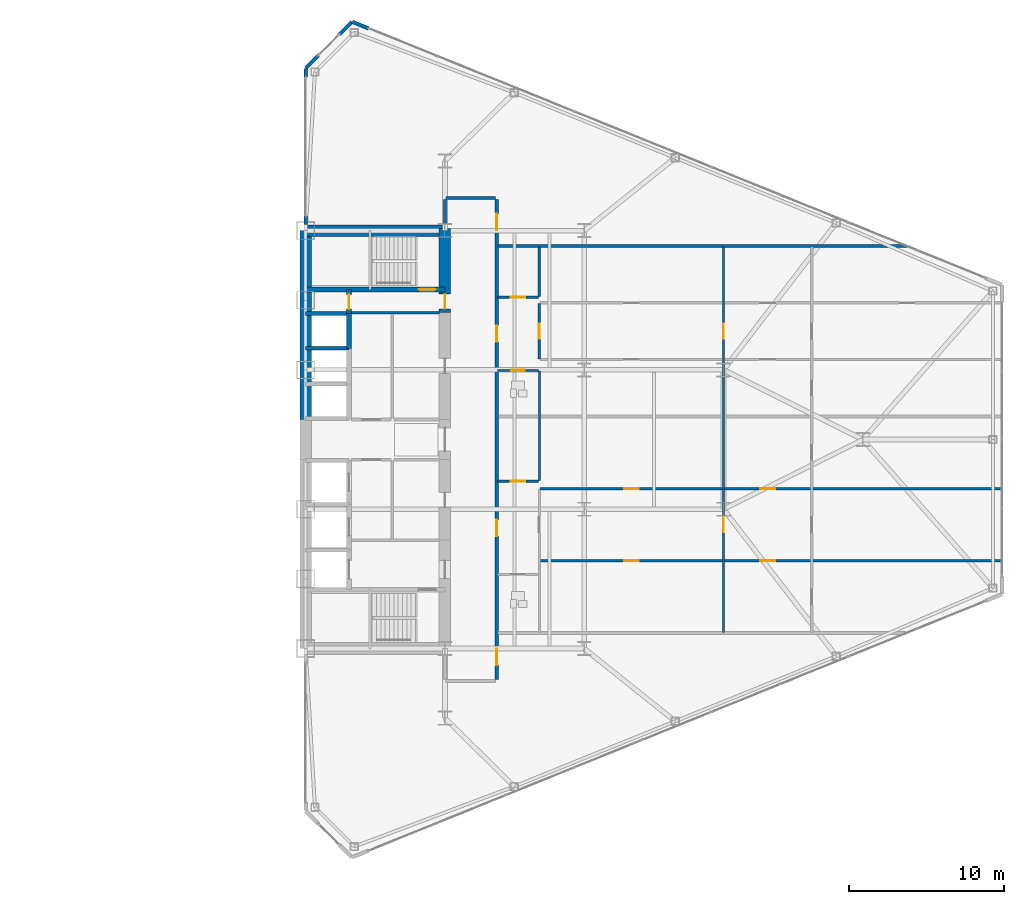
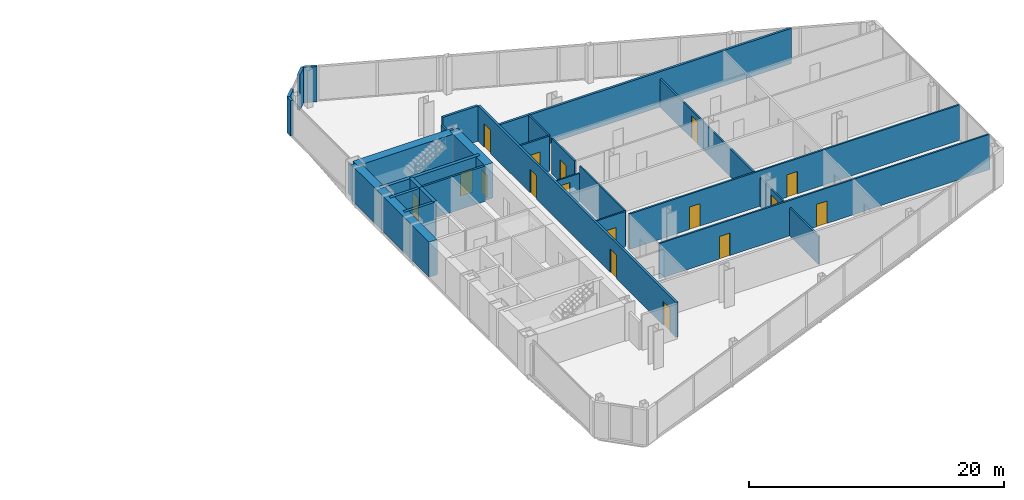
# One storey, part 21 of 25: 27 walls, 17 doors, 17 openings.
"""IFC4 building model written with IfcOpenShell, lengths in metres."""

from ifc_helpers import new_model, si_unit, direction, frame, frame_2d, origin, place, context, subcontext, project, spatial, rectangle, extrude, source, transform, mapped, material, layer, layer_set, type_object, type_shapes, element, fill, save


model = new_model("IFC4")

# Units and contexts
model_context = context("Model", 3, precision=1e-05, world=origin(), true_north=direction((0.0, 1.0)))
body_context = subcontext(model_context, "Body", "Model", "MODEL_VIEW")
ifc_project = project(units=[si_unit("LENGTHUNIT", "METRE"), si_unit("AREAUNIT", "SQUARE_METRE"), si_unit("VOLUMEUNIT", "CUBIC_METRE"), si_unit("PLANEANGLEUNIT", "RADIAN"), si_unit("MASSUNIT", "GRAM", prefix="KILO")], contexts=[model_context])

# Site, building, storey
site_placement = place(None, origin())
site = spatial("IfcSite", under=ifc_project, at=site_placement, CompositionType="ELEMENT")
building_placement = place(site_placement, origin())
building = spatial("IfcBuilding", under=site, at=building_placement, Name="Seokmaru Belvedere", CompositionType="ELEMENT")
storey_placement = place(building_placement, frame((0.0, 0.0, 44.10009765625)))
storey = spatial("IfcBuildingStorey", under=building, at=storey_placement, Name="L11", CompositionType="ELEMENT", Elevation=44.10009765625)

# Wall, openings, doors
ifc_material_1 = material(Name="Fire-Rated Gypsum Shaftwall")
ifc_layer_1 = layer(ifc_material_1, 0.14990234375)
ifc_layer_set_1 = layer_set([ifc_layer_1], Name="Fire-Rated Gypsum Shaftwall")
wall_type_1 = type_object("IfcWallType", Name="Apartment Fire-Acoustic Room Partition 150", PredefinedType="PARTITIONING", material=ifc_layer_set_1)
wall_1_placement = place(storey_placement, frame((42.64990234375, -7.830078125, 0.0), z_axis=(0.0, 0.0, 1.0), x_axis=(1.0, 0.0, 0.0)))
wall_1 = element("IfcWall", 1, at=wall_1_placement, inside=storey, type_object=wall_type_1, Name="L11 Interior Partition 012", PredefinedType="PARTITIONING", context=body_context, shape_type="SweptSolid", body=[
    extrude(rectangle(XDim=29.885009765625, YDim=0.14990234375, at=frame_2d((14.9423828125, 0.0))), origin(), (0.0, 0.0, 1.0), 3.3798828125),
])
opening_1_placement = place(wall_1_placement, frame((5.425048828125, 0.0, 0.0)))
opening_1 = element("IfcOpeningElement", 2, at=opening_1_placement, cuts=wall_1, Name="Opening D05", PredefinedType="OPENING", context=body_context, shape_type="SweptSolid", body=[
    extrude(rectangle(XDim=0.949951171875, YDim=2.14990234375, at=frame_2d((0.47509765625, 1.074951171875))), frame((0.0, 0.0849609375, 0.0), z_axis=(0.0, -1.0, 0.0), x_axis=(1.0, 0.0, 0.0)), (0.0, 0.0, 1.0), 0.169921875),
])
opening_2_placement = place(wall_1_placement, frame((14.22509765625, 0.0, 0.0)))
opening_2 = element("IfcOpeningElement", 3, at=opening_2_placement, cuts=wall_1, Name="Opening D05", PredefinedType="OPENING", context=body_context, shape_type="SweptSolid", body=[
    extrude(rectangle(XDim=0.949951171875, YDim=2.14990234375, at=frame_2d((0.47509765625, 1.074951171875))), frame((0.0, 0.0849609375, 0.0), z_axis=(0.0, -1.0, 0.0), x_axis=(1.0, 0.0, 0.0)), (0.0, 0.0, 1.0), 0.169921875),
])
ifc_material_2 = material(Name="Engineered White Oak Timber", Category="wood")
door_type_1 = type_object("IfcDoorType", Name="Apartment Interior Fire-Rated Oak Door 950x2150", OperationType="NOTDEFINED", PredefinedType="DOOR", material=ifc_material_2)
shared_shape_1 = source(origin(), body_context, "Body", "SweptSolid", [
    extrude(rectangle(XDim=0.949951171875, YDim=2.14990234375, at=frame_2d((0.47509765625, 1.074951171875))), frame((0.0, 0.02490234375, 0.0), z_axis=(0.0, -1.0, 0.0), x_axis=(1.0, 0.0, 0.0)), (0.0, 0.0, 1.0), 0.050048828125),
])
type_shapes(door_type_1, [shared_shape_1])
door_1_placement = place(opening_1_placement, origin())
door_1 = element("IfcDoor", 4, at=door_1_placement, inside=storey, type_object=door_type_1, Name="L11 Interior Door 043", OperationType="SINGLE_SWING_LEFT", OverallHeight=2.14990234375, OverallWidth=0.949951171875, PredefinedType="DOOR", context=body_context, shape_type="MappedRepresentation", body=[
    mapped(shared_shape_1, transform((0.0, 0.0, 0.0), scale=1.0)),
])
fill(opening_1, door_1)
door_2_placement = place(opening_2_placement, origin())
door_2 = element("IfcDoor", 5, at=door_2_placement, inside=storey, type_object=door_type_1, Name="L11 Interior Door 045", OperationType="SINGLE_SWING_RIGHT", OverallHeight=2.14990234375, OverallWidth=0.949951171875, PredefinedType="DOOR", context=body_context, shape_type="MappedRepresentation", body=[
    mapped(shared_shape_1, transform((0.0, 0.0, 0.0), scale=1.0)),
])
fill(opening_2, door_2)

wall_2_placement = place(storey_placement, frame((42.64990234375, -3.169921875, 0.0), z_axis=(0.0, 0.0, 1.0), x_axis=(1.0, 0.0, 0.0)))
wall_2 = element("IfcWall", 6, at=wall_2_placement, inside=storey, type_object=wall_type_1, Name="L11 Interior Partition 015", PredefinedType="PARTITIONING", context=body_context, shape_type="SweptSolid", body=[
    extrude(rectangle(XDim=29.885009765625, YDim=0.14990234375, at=frame_2d((14.9423828125, 0.0))), origin(), (0.0, 0.0, 1.0), 3.3798828125),
])
opening_3_placement = place(wall_2_placement, frame((5.425048828125, 0.0, 0.0)))
opening_3 = element("IfcOpeningElement", 7, at=opening_3_placement, cuts=wall_2, Name="Opening D05", PredefinedType="OPENING", context=body_context, shape_type="SweptSolid", body=[
    extrude(rectangle(XDim=0.949951171875, YDim=2.14990234375, at=frame_2d((0.47509765625, 1.074951171875))), frame((0.0, 0.0849609375, 0.0), z_axis=(0.0, -1.0, 0.0), x_axis=(1.0, 0.0, 0.0)), (0.0, 0.0, 1.0), 0.169921875),
])
opening_4_placement = place(wall_2_placement, frame((14.22509765625, 0.0, 0.0)))
opening_4 = element("IfcOpeningElement", 8, at=opening_4_placement, cuts=wall_2, Name="Opening D05", PredefinedType="OPENING", context=body_context, shape_type="SweptSolid", body=[
    extrude(rectangle(XDim=0.949951171875, YDim=2.14990234375, at=frame_2d((0.47509765625, 1.074951171875))), frame((0.0, 0.0849609375, 0.0), z_axis=(0.0, -1.0, 0.0), x_axis=(1.0, 0.0, 0.0)), (0.0, 0.0, 1.0), 0.169921875),
])
door_3_placement = place(opening_3_placement, origin())
door_3 = element("IfcDoor", 9, at=door_3_placement, inside=storey, type_object=door_type_1, Name="L11 Interior Door 044", OperationType="SINGLE_SWING_RIGHT", OverallHeight=2.14990234375, OverallWidth=0.949951171875, PredefinedType="DOOR", context=body_context, shape_type="MappedRepresentation", body=[
    mapped(shared_shape_1, transform((0.0, 0.0, 0.0), scale=1.0)),
])
fill(opening_3, door_3)
door_4_placement = place(opening_4_placement, origin())
door_4 = element("IfcDoor", 10, at=door_4_placement, inside=storey, type_object=door_type_1, Name="L11 Interior Door 048", OperationType="SINGLE_SWING_RIGHT", OverallHeight=2.14990234375, OverallWidth=0.949951171875, PredefinedType="DOOR", context=body_context, shape_type="MappedRepresentation", body=[
    mapped(shared_shape_1, transform((0.0, 0.0, 0.0), scale=1.0)),
])
fill(opening_4, door_4)

# Wall, opening, door
wall_3_placement = place(storey_placement, frame((39.89990234375, -2.699951171875, 0.0), z_axis=(0.0, 0.0, 1.0), x_axis=(1.0, 0.0, 0.0)))
wall_3 = element("IfcWall", 11, at=wall_3_placement, inside=storey, type_object=wall_type_1, Name="L11 Interior Partition 016", PredefinedType="PARTITIONING", context=body_context, shape_type="SweptSolid", body=[
    extrude(rectangle(XDim=2.650146484375, YDim=0.14990234375, at=frame_2d((1.3251953125, 0.0))), origin(), (0.0, 0.0, 1.0), 3.3798828125),
])
opening_5_placement = place(wall_3_placement, frame((0.85009765625, 0.0, 0.0)))
opening_5 = element("IfcOpeningElement", 12, at=opening_5_placement, cuts=wall_3, Name="Opening D05", PredefinedType="OPENING", context=body_context, shape_type="SweptSolid", body=[
    extrude(rectangle(XDim=0.949951171875, YDim=2.14990234375, at=frame_2d((0.47509765625, 1.074951171875))), frame((0.0, 0.0849609375, 0.0), z_axis=(0.0, -1.0, 0.0), x_axis=(1.0, 0.0, 0.0)), (0.0, 0.0, 1.0), 0.169921875),
])
door_5_placement = place(opening_5_placement, origin())
door_5 = element("IfcDoor", 13, at=door_5_placement, inside=storey, type_object=door_type_1, Name="L11 Interior Door 040", OperationType="SINGLE_SWING_RIGHT", OverallHeight=2.14990234375, OverallWidth=0.949951171875, PredefinedType="DOOR", context=body_context, shape_type="MappedRepresentation", body=[
    mapped(shared_shape_1, transform((0.0, 0.0, 0.0), scale=1.0)),
])
fill(opening_5, door_5)

wall_4_placement = place(storey_placement, frame((39.89990234375, 9.199951171875, 0.0), z_axis=(0.0, 0.0, 1.0), x_axis=(1.0, 0.0, 0.0)))
wall_4 = element("IfcWall", 14, at=wall_4_placement, inside=storey, type_object=wall_type_1, Name="L11 Interior Partition 025", PredefinedType="PARTITIONING", context=body_context, shape_type="SweptSolid", body=[
    extrude(rectangle(XDim=2.650146484375, YDim=0.14990234375, at=frame_2d((1.3251953125, 0.0))), origin(), (0.0, 0.0, 1.0), 3.3798828125),
])
opening_6_placement = place(wall_4_placement, frame((0.85009765625, 0.0, 0.0)))
opening_6 = element("IfcOpeningElement", 15, at=opening_6_placement, cuts=wall_4, Name="Opening D05", PredefinedType="OPENING", context=body_context, shape_type="SweptSolid", body=[
    extrude(rectangle(XDim=0.949951171875, YDim=2.14990234375, at=frame_2d((0.47509765625, 1.074951171875))), frame((0.0, 0.0849609375, 0.0), z_axis=(0.0, -1.0, 0.0), x_axis=(1.0, 0.0, 0.0)), (0.0, 0.0, 1.0), 0.169921875),
])
door_6_placement = place(opening_6_placement, origin())
door_6 = element("IfcDoor", 16, at=door_6_placement, inside=storey, type_object=door_type_1, Name="L11 Interior Door 052", OperationType="SINGLE_SWING_RIGHT", OverallHeight=2.14990234375, OverallWidth=0.949951171875, PredefinedType="DOOR", context=body_context, shape_type="MappedRepresentation", body=[
    mapped(shared_shape_1, transform((0.0, 0.0, 0.0), scale=1.0)),
])
fill(opening_6, door_6)

wall_5_placement = place(storey_placement, frame((42.60009765625, 5.217041015625, 0.0), z_axis=(0.0, 0.0, 1.0), x_axis=(0.0, 1.0, 0.0)))
wall_5 = element("IfcWall", 17, at=wall_5_placement, inside=storey, type_object=wall_type_1, Name="L11 Interior Partition 048", PredefinedType="PARTITIONING", context=body_context, shape_type="SweptSolid", body=[
    extrude(rectangle(XDim=3.56591796875, YDim=0.14990234375, at=frame_2d((1.782958984375, 0.0))), origin(), (0.0, 0.0, 1.0), 3.3798828125),
])
opening_7_placement = place(wall_5_placement, frame((1.30810546875, 0.0, 0.0)))
opening_7 = element("IfcOpeningElement", 18, at=opening_7_placement, cuts=wall_5, Name="Opening D05", PredefinedType="OPENING", context=body_context, shape_type="SweptSolid", body=[
    extrude(rectangle(XDim=0.949951171875, YDim=2.14990234375, at=frame_2d((0.47509765625, 1.074951171875))), frame((0.0, 0.0849609375, 0.0), z_axis=(0.0, -1.0, 0.0), x_axis=(1.0, 0.0, 0.0)), (0.0, 0.0, 1.0), 0.169921875),
])
door_7_placement = place(opening_7_placement, origin())
door_7 = element("IfcDoor", 19, at=door_7_placement, inside=storey, type_object=door_type_1, Name="L11 Interior Door 053", OperationType="SINGLE_SWING_LEFT", OverallHeight=2.14990234375, OverallWidth=0.949951171875, PredefinedType="DOOR", context=body_context, shape_type="MappedRepresentation", body=[
    mapped(shared_shape_1, transform((0.0, 0.0, 0.0), scale=1.0)),
])
fill(opening_7, door_7)

# Wall
wall_6_placement = place(storey_placement, frame((42.60009765625, 9.251953125, 0.0), z_axis=(0.0, 0.0, 1.0), x_axis=(0.0, 1.0, 0.0)))
element("IfcWall", 20, at=wall_6_placement, inside=storey, type_object=wall_type_1, Name="L11 Interior Partition 049", PredefinedType="PARTITIONING", context=body_context, shape_type="SweptSolid", body=[
    extrude(rectangle(XDim=3.197998046875, YDim=0.14990234375, at=frame_2d((1.59912109375, 0.0))), origin(), (0.0, 0.0, 1.0), 3.3798828125),
])

# Wall, openings, doors
wall_7_placement = place(storey_placement, frame((54.5, -12.449951171875, 0.0), z_axis=(0.0, 0.0, 1.0), x_axis=(0.0, 1.0, 0.0)))
wall_7 = element("IfcWall", 21, at=wall_7_placement, inside=storey, type_object=wall_type_1, Name="L11 Interior Partition 050", PredefinedType="PARTITIONING", context=body_context, shape_type="SweptSolid", body=[
    extrude(rectangle(XDim=24.89990234375, YDim=0.14990234375, at=frame_2d((12.449951171875, 0.0))), origin(), (0.0, 0.0, 1.0), 2.679931640625),
])
opening_8_placement = place(wall_7_placement, frame((6.47509765625, 0.0, 0.0)))
opening_8 = element("IfcOpeningElement", 22, at=opening_8_placement, cuts=wall_7, Name="Opening D05", PredefinedType="OPENING", context=body_context, shape_type="SweptSolid", body=[
    extrude(rectangle(XDim=0.949951171875, YDim=2.14990234375, at=frame_2d((0.47509765625, 1.074951171875))), frame((0.0, 0.0849609375, 0.0), z_axis=(0.0, -1.0, 0.0), x_axis=(1.0, 0.0, 0.0)), (0.0, 0.0, 1.0), 0.169921875),
])
opening_9_placement = place(wall_7_placement, frame((18.97509765625, 0.0, 0.0)))
opening_9 = element("IfcOpeningElement", 23, at=opening_9_placement, cuts=wall_7, Name="Opening D05", PredefinedType="OPENING", context=body_context, shape_type="SweptSolid", body=[
    extrude(rectangle(XDim=0.949951171875, YDim=2.14990234375, at=frame_2d((0.47509765625, 1.074951171875))), frame((0.0, 0.0849609375, 0.0), z_axis=(0.0, -1.0, 0.0), x_axis=(1.0, 0.0, 0.0)), (0.0, 0.0, 1.0), 0.169921875),
])
door_8_placement = place(opening_8_placement, origin())
door_8 = element("IfcDoor", 24, at=door_8_placement, inside=storey, type_object=door_type_1, Name="L11 Interior Door 042", OperationType="SINGLE_SWING_RIGHT", OverallHeight=2.14990234375, OverallWidth=0.949951171875, PredefinedType="DOOR", context=body_context, shape_type="MappedRepresentation", body=[
    mapped(shared_shape_1, transform((0.0, 0.0, 0.0), scale=1.0)),
])
fill(opening_8, door_8)
door_9_placement = place(opening_9_placement, origin())
door_9 = element("IfcDoor", 25, at=door_9_placement, inside=storey, type_object=door_type_1, Name="L11 Interior Door 054", OperationType="SINGLE_SWING_RIGHT", OverallHeight=2.14990234375, OverallWidth=0.949951171875, PredefinedType="DOOR", context=body_context, shape_type="MappedRepresentation", body=[
    mapped(shared_shape_1, transform((0.0, 0.0, 0.0), scale=1.0)),
])
fill(opening_9, door_9)

# Walls
ifc_layer_2 = layer(ifc_material_1, 0.179931640625)
ifc_layer_set_2 = layer_set([ifc_layer_2], Name="Fire-Rated Gypsum Shaftwall")
wall_type_2 = type_object("IfcWallType", Name="Core Service Fire Partition 180", PredefinedType="PARTITIONING", material=ifc_layer_set_2)
wall_8_placement = place(storey_placement, frame((30.449951171875, 8.199951171875, 0.0), z_axis=(0.0, 0.0, 1.0), x_axis=(1.0, 0.0, 0.0)))
element("IfcWall", 26, at=wall_8_placement, inside=storey, type_object=wall_type_2, Name="L11 East Smokeproof Vestibule Partition", PredefinedType="PARTITIONING", context=body_context, shape_type="SweptSolid", body=[
    extrude(rectangle(XDim=5.699951171875, YDim=0.179931640625, at=frame_2d((2.85009765625, 0.0))), origin(), (0.0, 0.0, 1.0), 3.3798828125),
])
ifc_material_3 = material(Name="Concrete C50 (50 MPa)", Category="concrete")
ifc_layer_3 = layer(ifc_material_3, 0.25)
ifc_layer_set_3 = layer_set([ifc_layer_3], Name="Concrete C50 (50 MPa)")
wall_type_3 = type_object("IfcWallType", Name="Hoistway Transverse Concrete Divider Wall 250", PredefinedType="SHEAR", material=ifc_layer_set_3)
for number, where, z_axis, x_axis, name in (
    (27, (27.5, 5.89990234375, 0.0), (0.0, 0.0, 1.0), (1.0, 0.0, 0.0), "L11 East Hoistway Divider Core Wall 6"),
    (28, (27.5, 8.14990234375, 0.0), (0.0, 0.0, 1.0), (1.0, 0.0, 0.0), "L11 East Hoistway Divider Core Wall 7"),
):
    element("IfcWall", number, at=place(storey_placement, frame(where, z_axis=z_axis, x_axis=x_axis)), inside=storey, type_object=wall_type_3, Name=name, PredefinedType="SHEAR", context=body_context, shape_type="SweptSolid", body=[
        extrude(rectangle(XDim=2.800048828125, YDim=0.25, at=frame_2d((1.39990234375, 0.0))), origin(), (0.0, 0.0, 1.0), 3.3798828125),
    ])
ifc_layer_4 = layer(ifc_material_1, 0.199951171875)
ifc_layer_set_4 = layer_set([ifc_layer_4], Name="Fire-Rated Gypsum Shaftwall")
wall_type_4 = type_object("IfcWallType", Name="Inter-Tenancy Fire Compartment Partition 200", PredefinedType="PARTITIONING", material=ifc_layer_set_4)
wall_9_placement = place(storey_placement, frame((39.929931640625, 12.5, 0.0), z_axis=(0.0, 0.0, 1.0), x_axis=(1.0, 0.0, 0.0)))
element("IfcWall", 29, at=wall_9_placement, inside=storey, type_object=wall_type_4, Name="L11 Interior Partition 028", PredefinedType="PARTITIONING", context=body_context, shape_type="SweptSolid", body=[
    extrude(rectangle(XDim=26.406982421875, YDim=0.199951171875, at=frame_2d((13.20361328125, 0.0))), origin(), (0.0, 0.0, 1.0), 3.3798828125),
])
wall_10_placement = place(storey_placement, frame((36.5849609375, 15.60009765625, 0.0), z_axis=(0.0, 0.0, 1.0), x_axis=(1.0, 0.0, 0.0)))
element("IfcWall", 30, at=wall_10_placement, inside=storey, type_object=wall_type_4, Name="L11 Interior Partition 030", PredefinedType="PARTITIONING", context=body_context, shape_type="SweptSolid", body=[
    extrude(rectangle(XDim=3.179931640625, YDim=0.199951171875, at=frame_2d((1.58984375, 0.0))), origin(), (0.0, 0.0, 1.0), 3.3798828125),
])
wall_11_placement = place(storey_placement, frame((36.5, 13.8798828125, 0.0), z_axis=(0.0, 0.0, 1.0), x_axis=(0.0, 1.0, 0.0)))
element("IfcWall", 31, at=wall_11_placement, inside=storey, type_object=wall_type_4, Name="L11 Interior Partition 044", PredefinedType="PARTITIONING", context=body_context, shape_type="SweptSolid", body=[
    extrude(rectangle(XDim=1.635009765625, YDim=0.199951171875, at=frame_2d((0.8173828125, 0.0))), origin(), (0.0, 0.0, 1.0), 2.679931640625),
])

# Wall, openings, doors
wall_12_placement = place(storey_placement, frame((39.85009765625, -15.514892578125, 0.0), z_axis=(0.0, 0.0, 1.0), x_axis=(0.0, 1.0, 0.0)))
wall_12 = element("IfcWall", 32, at=wall_12_placement, inside=storey, type_object=wall_type_4, Name="L11 Interior Partition 045", PredefinedType="PARTITIONING", context=body_context, shape_type="SweptSolid", body=[
    extrude(rectangle(XDim=31.02978515625, YDim=0.199951171875, at=frame_2d((15.514892578125, 0.0))), origin(), (0.0, 0.0, 1.0), 3.3798828125),
])
opening_10_placement = place(wall_12_placement, frame((0.93994140625, 0.0, 0.0)))
opening_10 = element("IfcOpeningElement", 33, at=opening_10_placement, cuts=wall_12, Name="Opening D03", PredefinedType="OPENING", context=body_context, shape_type="SweptSolid", body=[
    extrude(rectangle(XDim=1.050048828125, YDim=2.25, at=frame_2d((0.52490234375, 1.125))), frame((0.0, 0.10986328125, 0.0), z_axis=(0.0, -1.0, 0.0), x_axis=(1.0, 0.0, 0.0)), (0.0, 0.0, 1.0), 0.219970703125),
])
opening_11_placement = place(wall_12_placement, frame((9.280029296875, 0.0, 0.0)))
opening_11 = element("IfcOpeningElement", 34, at=opening_11_placement, cuts=wall_12, Name="Opening D03", PredefinedType="OPENING", context=body_context, shape_type="SweptSolid", body=[
    extrude(rectangle(XDim=1.050048828125, YDim=2.25, at=frame_2d((0.52490234375, 1.125))), frame((0.0, 0.10986328125, 0.0), z_axis=(0.0, -1.0, 0.0), x_axis=(1.0, 0.0, 0.0)), (0.0, 0.0, 1.0), 0.219970703125),
])
opening_12_placement = place(wall_12_placement, frame((21.824951171875, 0.0, 0.0)))
opening_12 = element("IfcOpeningElement", 35, at=opening_12_placement, cuts=wall_12, Name="Opening D03", PredefinedType="OPENING", context=body_context, shape_type="SweptSolid", body=[
    extrude(rectangle(XDim=1.050048828125, YDim=2.25, at=frame_2d((0.52490234375, 1.125))), frame((0.0, 0.10986328125, 0.0), z_axis=(0.0, -1.0, 0.0), x_axis=(1.0, 0.0, 0.0)), (0.0, 0.0, 1.0), 0.219970703125),
])
opening_13_placement = place(wall_12_placement, frame((29.0400390625, 0.0, 0.0)))
opening_13 = element("IfcOpeningElement", 36, at=opening_13_placement, cuts=wall_12, Name="Opening D03", PredefinedType="OPENING", context=body_context, shape_type="SweptSolid", body=[
    extrude(rectangle(XDim=1.050048828125, YDim=2.25, at=frame_2d((0.52490234375, 1.125))), frame((0.0, 0.10986328125, 0.0), z_axis=(0.0, -1.0, 0.0), x_axis=(1.0, 0.0, 0.0)), (0.0, 0.0, 1.0), 0.219970703125),
])
ifc_material_4 = material(Name="Fire-Rated Steel Leaf", Category="steel")
door_type_2 = type_object("IfcDoorType", Name="Apartment Entrance Fire Door 1050x2250", OperationType="NOTDEFINED", PredefinedType="DOOR", material=ifc_material_4)
shared_shape_2 = source(origin(), body_context, "Body", "SweptSolid", [
    extrude(rectangle(XDim=1.050048828125, YDim=2.25, at=frame_2d((0.52490234375, 1.125))), frame((0.0, 0.02490234375, 0.0), z_axis=(0.0, -1.0, 0.0), x_axis=(1.0, 0.0, 0.0)), (0.0, 0.0, 1.0), 0.050048828125),
])
type_shapes(door_type_2, [shared_shape_2])
door_10_placement = place(opening_10_placement, origin())
door_10 = element("IfcDoor", 37, at=door_10_placement, inside=storey, type_object=door_type_2, Name="L11 Interior Door 037", OperationType="SINGLE_SWING_LEFT", OverallHeight=2.25, OverallWidth=1.050048828125, PredefinedType="DOOR", context=body_context, shape_type="MappedRepresentation", body=[
    mapped(shared_shape_2, transform((0.0, 0.0, 0.0), scale=1.0)),
])
fill(opening_10, door_10)
door_11_placement = place(opening_11_placement, origin())
door_11 = element("IfcDoor", 38, at=door_11_placement, inside=storey, type_object=door_type_2, Name="L11 Interior Door 038", OperationType="SINGLE_SWING_RIGHT", OverallHeight=2.25, OverallWidth=1.050048828125, PredefinedType="DOOR", context=body_context, shape_type="MappedRepresentation", body=[
    mapped(shared_shape_2, transform((0.0, 0.0, 0.0), scale=1.0)),
])
fill(opening_11, door_11)
door_12_placement = place(opening_12_placement, origin())
door_12 = element("IfcDoor", 39, at=door_12_placement, inside=storey, type_object=door_type_2, Name="L11 Interior Door 050", OperationType="SINGLE_SWING_LEFT", OverallHeight=2.25, OverallWidth=1.050048828125, PredefinedType="DOOR", context=body_context, shape_type="MappedRepresentation", body=[
    mapped(shared_shape_2, transform((0.0, 0.0, 0.0), scale=1.0)),
])
fill(opening_12, door_12)
door_13_placement = place(opening_13_placement, origin())
door_13 = element("IfcDoor", 40, at=door_13_placement, inside=storey, type_object=door_type_2, Name="L11 Interior Door 062", OperationType="SINGLE_SWING_RIGHT", OverallHeight=2.25, OverallWidth=1.050048828125, PredefinedType="DOOR", context=body_context, shape_type="MappedRepresentation", body=[
    mapped(shared_shape_2, transform((0.0, 0.0, 0.0), scale=1.0)),
])
fill(opening_13, door_13)

# Wall, opening, door
ifc_layer_5 = layer(ifc_material_3, 0.300048828125)
ifc_layer_set_5 = layer_set([ifc_layer_5], Name="Concrete C50 (50 MPa)")
wall_type_5 = type_object("IfcWallType", Name="Internal Core Stair and Hoistway Wall 300", PredefinedType="SHEAR", material=ifc_layer_set_5)
wall_13_placement = place(storey_placement, frame((27.5, 9.699951171875, 0.0), z_axis=(0.0, 0.0, 1.0), x_axis=(1.0, 0.0, 0.0)))
wall_13 = element("IfcWall", 41, at=wall_13_placement, inside=storey, type_object=wall_type_5, Name="L11 East Stair ST-2 Enclosure Wall", PredefinedType="SHEAR", context=body_context, shape_type="SweptSolid", body=[
    extrude(rectangle(XDim=9.0, YDim=0.300048828125, at=frame_2d((4.5, 0.0))), origin(), (0.0, 0.0, 1.0), 3.3798828125),
])
opening_14_placement = place(wall_13_placement, frame((7.300048828125, 0.0, 0.0)))
opening_14 = element("IfcOpeningElement", 42, at=opening_14_placement, cuts=wall_13, Name="Opening D01", PredefinedType="OPENING", context=body_context, shape_type="SweptSolid", body=[
    extrude(rectangle(XDim=1.10009765625, YDim=2.199951171875, at=frame_2d((0.550048828125, 1.10009765625))), frame((0.0, 0.16015625, 0.0), z_axis=(0.0, -1.0, 0.0), x_axis=(1.0, 0.0, 0.0)), (0.0, 0.0, 1.0), 0.320068359375),
])
door_type_3 = type_object("IfcDoorType", Name="Special Escape Stair Smokeproof Fire Door 1100x2200", OperationType="NOTDEFINED", PredefinedType="DOOR", material=ifc_material_4)
shared_shape_3 = source(origin(), body_context, "Body", "SweptSolid", [
    extrude(rectangle(XDim=1.10009765625, YDim=2.199951171875, at=frame_2d((0.550048828125, 1.10009765625))), frame((0.0, 0.02490234375, 0.0), z_axis=(0.0, -1.0, 0.0), x_axis=(1.0, 0.0, 0.0)), (0.0, 0.0, 1.0), 0.050048828125),
])
type_shapes(door_type_3, [shared_shape_3])
door_14_placement = place(opening_14_placement, origin())
door_14 = element("IfcDoor", 43, at=door_14_placement, inside=storey, type_object=door_type_3, Name="L11 East Special Escape Stair ST-2 Door", OperationType="SINGLE_SWING_LEFT", OverallHeight=2.199951171875, OverallWidth=1.10009765625, PredefinedType="DOOR", context=body_context, shape_type="MappedRepresentation", body=[
    mapped(shared_shape_3, transform((0.0, 0.0, 0.0), scale=1.0)),
])
fill(opening_14, door_14)

# Wall
wall_14_placement = place(storey_placement, frame((30.300048828125, 5.89990234375, 0.0), z_axis=(0.0, 0.0, 1.0), x_axis=(0.0, 1.0, 0.0)))
element("IfcWall", 44, at=wall_14_placement, inside=storey, type_object=wall_type_5, Name="L11 East North Hoistway Wall OBS", PredefinedType="SHEAR", context=body_context, shape_type="SweptSolid", body=[
    extrude(rectangle(XDim=2.25, YDim=0.300048828125, at=frame_2d((1.125, 0.0))), origin(), (0.0, 0.0, 1.0), 3.3798828125),
])

# Wall, opening, door
wall_15_placement = place(storey_placement, frame((30.300048828125, 8.14990234375, 0.0), z_axis=(0.0, 0.0, 1.0), x_axis=(0.0, 1.0, 0.0)))
wall_15 = element("IfcWall", 45, at=wall_15_placement, inside=storey, type_object=wall_type_5, Name="L11 East Electrical Riser Front Wall", PredefinedType="SHEAR", context=body_context, shape_type="SweptSolid", body=[
    extrude(rectangle(XDim=1.530029296875, YDim=0.300048828125, at=frame_2d((0.76513671875, 0.0))), origin(), (0.0, 0.0, 1.0), 3.3798828125),
])
opening_15_placement = place(wall_15_placement, frame((0.284912109375, 0.0, 0.0)))
opening_15 = element("IfcOpeningElement", 46, at=opening_15_placement, cuts=wall_15, Name="Opening D04", PredefinedType="OPENING", context=body_context, shape_type="SweptSolid", body=[
    extrude(rectangle(XDim=0.949951171875, YDim=2.14990234375, at=frame_2d((0.47509765625, 1.074951171875))), frame((0.0, 0.16015625, 0.0), z_axis=(0.0, -1.0, 0.0), x_axis=(1.0, 0.0, 0.0)), (0.0, 0.0, 1.0), 0.320068359375),
])
door_type_4 = type_object("IfcDoorType", Name="Core Service Room Fire Door 950x2150", OperationType="NOTDEFINED", PredefinedType="DOOR", material=ifc_material_4)
shared_shape_4 = source(origin(), body_context, "Body", "SweptSolid", [
    extrude(rectangle(XDim=0.949951171875, YDim=2.14990234375, at=frame_2d((0.47509765625, 1.074951171875))), frame((0.0, 0.02490234375, 0.0), z_axis=(0.0, -1.0, 0.0), x_axis=(1.0, 0.0, 0.0)), (0.0, 0.0, 1.0), 0.050048828125),
])
type_shapes(door_type_4, [shared_shape_4])
door_15_placement = place(opening_15_placement, origin())
door_15 = element("IfcDoor", 47, at=door_15_placement, inside=storey, type_object=door_type_4, Name="L11 East Electrical Riser Access Door", OperationType="SINGLE_SWING_RIGHT", OverallHeight=2.14990234375, OverallWidth=0.949951171875, PredefinedType="DOOR", context=body_context, shape_type="MappedRepresentation", body=[
    mapped(shared_shape_4, transform((0.0, 0.0, 0.0), scale=1.0)),
])
fill(opening_15, door_15)

# Walls
ifc_material_5 = material(Name="Concrete C60 (60 MPa)", Category="concrete")
ifc_layer_6 = layer(ifc_material_5, 0.75)
ifc_layer_set_6 = layer_set([ifc_layer_6], Name="Concrete C60 (60 MPa)")
wall_type_6 = type_object("IfcWallType", Name="Lower Tower Reinforced Concrete Core Wall 750", PredefinedType="SHEAR", material=ifc_layer_set_6)
wall_16_placement = place(storey_placement, frame((27.5, 1.300048828125, 0.0), z_axis=(0.0, 0.0, 1.0), x_axis=(0.0, 1.0, 0.0)))
element("IfcWall", 48, at=wall_16_placement, inside=storey, type_object=wall_type_6, Name="L11 East Portal Spine Core Wall North", PredefinedType="SHEAR", context=body_context, shape_type="SweptSolid", body=[
    extrude(rectangle(XDim=12.199951171875, YDim=0.75, at=frame_2d((6.10009765625, 0.0))), origin(), (0.0, 0.0, 1.0), 3.3798828125),
])
wall_17_placement = place(storey_placement, frame((27.5, 13.5, 0.0), z_axis=(0.0, 0.0, 1.0), x_axis=(1.0, 0.0, 0.0)))
element("IfcWall", 49, at=wall_17_placement, inside=storey, type_object=wall_type_6, Name="L11 East North Core Wall", PredefinedType="SHEAR", context=body_context, shape_type="SweptSolid", body=[
    extrude(rectangle(XDim=9.0, YDim=0.75, at=frame_2d((4.5, 0.0))), origin(), (0.0, 0.0, 1.0), 3.3798828125),
])

# Wall, opening, door
wall_18_placement = place(storey_placement, frame((36.5, 8.199951171875, 0.0), z_axis=(0.0, 0.0, 1.0), x_axis=(0.0, 1.0, 0.0)))
wall_18 = element("IfcWall", 50, at=wall_18_placement, inside=storey, type_object=wall_type_6, Name="L11 East West Core Wall VST", PredefinedType="SHEAR", context=body_context, shape_type="SweptSolid", body=[
    extrude(rectangle(XDim=5.449951171875, YDim=0.75, at=frame_2d((2.72509765625, 0.0))), origin(), (0.0, 0.0, 1.0), 3.3798828125),
])
opening_16_placement = place(wall_18_placement, frame((0.2451171875, 0.0, 0.0)))
opening_16 = element("IfcOpeningElement", 51, at=opening_16_placement, cuts=wall_18, Name="Opening D04", PredefinedType="OPENING", context=body_context, shape_type="SweptSolid", body=[
    extrude(rectangle(XDim=0.949951171875, YDim=2.14990234375, at=frame_2d((0.47509765625, 1.074951171875))), frame((0.0, 0.385009765625, 0.0), z_axis=(0.0, -1.0, 0.0), x_axis=(1.0, 0.0, 0.0)), (0.0, 0.0, 1.0), 0.77001953125),
])
door_16_placement = place(opening_16_placement, origin())
door_16 = element("IfcDoor", 52, at=door_16_placement, inside=storey, type_object=door_type_4, Name="L11 East Smokeproof Vestibule Door", OperationType="SINGLE_SWING_LEFT", OverallHeight=2.14990234375, OverallWidth=0.949951171875, PredefinedType="DOOR", context=body_context, shape_type="MappedRepresentation", body=[
    mapped(shared_shape_4, transform((0.0, 0.0, 0.0), scale=1.0)),
])
fill(opening_16, door_16)

ifc_layer_7 = layer(ifc_material_1, 0.1298828125)
ifc_layer_set_7 = layer_set([ifc_layer_7], Name="Fire-Rated Gypsum Shaftwall")
wall_type_7 = type_object("IfcWallType", Name="Moisture-Resistant Fire-Rated Bathroom Partition 130", PredefinedType="PARTITIONING", material=ifc_layer_set_7)
wall_19_placement = place(storey_placement, frame((39.89990234375, 4.469970703125, 0.0), z_axis=(0.0, 0.0, 1.0), x_axis=(1.0, 0.0, 0.0)))
wall_19 = element("IfcWall", 53, at=wall_19_placement, inside=storey, type_object=wall_type_7, Name="L11 Interior Partition 020", PredefinedType="PARTITIONING", context=body_context, shape_type="SweptSolid", body=[
    extrude(rectangle(XDim=2.650146484375, YDim=0.1298828125, at=frame_2d((1.3251953125, 0.0))), origin(), (0.0, 0.0, 1.0), 2.679931640625),
])
opening_17_placement = place(wall_19_placement, frame((0.885009765625, 0.0, 0.0)))
opening_17 = element("IfcOpeningElement", 54, at=opening_17_placement, cuts=wall_19, Name="Opening D06", PredefinedType="OPENING", context=body_context, shape_type="SweptSolid", body=[
    extrude(rectangle(XDim=0.8798828125, YDim=2.10009765625, at=frame_2d((0.43994140625, 1.050048828125))), frame((0.0, 0.074951171875, 0.0), z_axis=(0.0, -1.0, 0.0), x_axis=(1.0, 0.0, 0.0)), (0.0, 0.0, 1.0), 0.14990234375),
])
door_type_5 = type_object("IfcDoorType", Name="Bathroom and Restroom Fire-Rated Door 880x2100", OperationType="NOTDEFINED", PredefinedType="DOOR", material=ifc_material_2)
shared_shape_5 = source(origin(), body_context, "Body", "SweptSolid", [
    extrude(rectangle(XDim=0.8798828125, YDim=2.10009765625, at=frame_2d((0.43994140625, 1.050048828125))), frame((0.0, 0.02490234375, 0.0), z_axis=(0.0, -1.0, 0.0), x_axis=(1.0, 0.0, 0.0)), (0.0, 0.0, 1.0), 0.050048828125),
])
type_shapes(door_type_5, [shared_shape_5])
door_17_placement = place(opening_17_placement, origin())
door_17 = element("IfcDoor", 55, at=door_17_placement, inside=storey, type_object=door_type_5, Name="L11 Interior Door 051", OperationType="SINGLE_SWING_RIGHT", OverallHeight=2.10009765625, OverallWidth=0.8798828125, PredefinedType="DOOR", context=body_context, shape_type="MappedRepresentation", body=[
    mapped(shared_shape_5, transform((0.0, 0.0, 0.0), scale=1.0)),
])
fill(opening_17, door_17)

# Walls
wall_20_placement = place(storey_placement, frame((42.60009765625, -2.64794921875, 0.0), z_axis=(0.0, 0.0, 1.0), x_axis=(0.0, 1.0, 0.0)))
element("IfcWall", 56, at=wall_20_placement, inside=storey, type_object=wall_type_7, Name="L11 Interior Partition 047", PredefinedType="PARTITIONING", context=body_context, shape_type="SweptSolid", body=[
    extrude(rectangle(XDim=7.06591796875, YDim=0.1298828125, at=frame_2d((3.532958984375, 0.0))), origin(), (0.0, 0.0, 1.0), 3.3798828125),
])
ifc_material_6 = material(Name="Anodised Bronze Aluminium", Category="aluminium")
ifc_layer_8 = layer(ifc_material_6, 0.239990234375)
ifc_layer_set_8 = layer_set([ifc_layer_8], Name="Anodised Bronze Aluminium")
wall_type_8 = type_object("IfcWallType", Name="Tower Corner Spandrel Closure Wall 240", PredefinedType="SOLIDWALL", material=ifc_layer_set_8)
wall_21_placement = place(storey_placement, frame((31.56591796875, 26.568603515625, 0.0), z_axis=(0.0, 0.0, 1.0), x_axis=(-0.927007103665, 0.375043770452, 0.0)))
element("IfcWall", 57, at=wall_21_placement, inside=storey, type_object=wall_type_8, Name="L11 E Corner Closure Pier 3B", PredefinedType="SOLIDWALL", context=body_context, shape_type="SweptSolid", body=[
    extrude(rectangle(XDim=1.139892578125, YDim=0.239990234375, at=frame_2d((0.56982421875, 0.0))), origin(), (0.0, 0.0, 1.0), 3.3798828125),
])
for number, where, z_axis, x_axis, name in (
    (58, (30.492919921875, 26.992919921875, 0.0), (0.0, 0.0, 1.0), (-0.707106781187, -0.707106781187, 0.0), "L11 E Corner Closure Pier 4A"),
    (59, (28.313232421875, 24.813232421875, 0.0), (0.0, 0.0, 1.0), (-0.707106781187, -0.707106781187, 0.0), "L11 E Corner Closure Pier 4B"),
):
    element("IfcWall", number, at=place(storey_placement, frame(where, z_axis=z_axis, x_axis=x_axis)), inside=storey, type_object=wall_type_8, Name=name, PredefinedType="SOLIDWALL", context=body_context, shape_type="SweptSolid", body=[
        extrude(rectangle(XDim=1.14013671875, YDim=0.239990234375, at=frame_2d((0.570068359375, 0.0))), origin(), (0.0, 0.0, 1.0), 3.3798828125),
    ])
wall_22_placement = place(storey_placement, frame((27.5, 13.8798828125, 0.0), z_axis=(0.0, 0.0, 1.0), x_axis=(0.0, 1.0, 0.0)))
element("IfcWall", 60, at=wall_22_placement, inside=storey, type_object=wall_type_8, Name="L11 E Spine Closure Pier 2A", PredefinedType="SOLIDWALL", context=body_context, shape_type="SweptSolid", body=[
    extrude(rectangle(XDim=0.550048828125, YDim=0.239990234375, at=frame_2d((0.27490234375, 0.0))), origin(), (0.0, 0.0, 1.0), 2.8798828125),
])
wall_23_placement = place(storey_placement, frame((27.5, 23.429931640625, 0.0), z_axis=(0.0, 0.0, 1.0), x_axis=(0.0, 1.0, 0.0)))
element("IfcWall", 61, at=wall_23_placement, inside=storey, type_object=wall_type_8, Name="L11 E Spine Closure Pier 2B", PredefinedType="SOLIDWALL", context=body_context, shape_type="SweptSolid", body=[
    extrude(rectangle(XDim=0.550048828125, YDim=0.239990234375, at=frame_2d((0.27490234375, 0.0))), origin(), (0.0, 0.0, 1.0), 3.3798828125),
])

save(model, "model.ifc")
